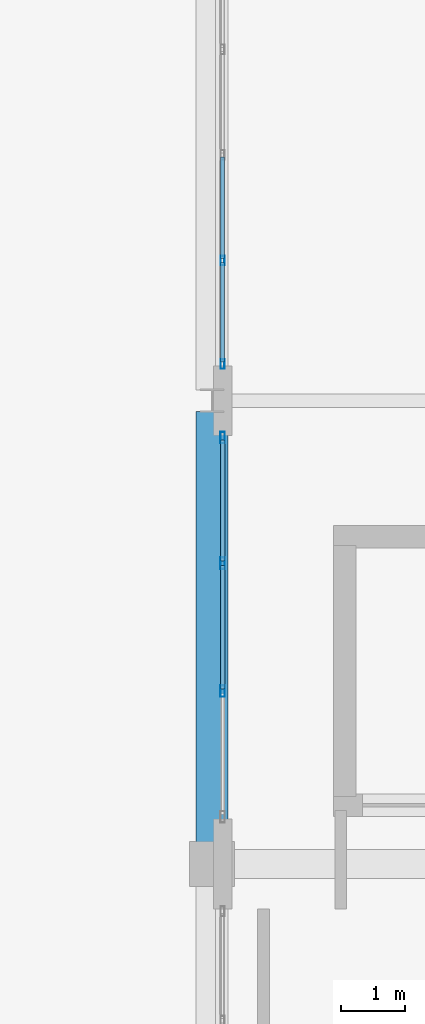
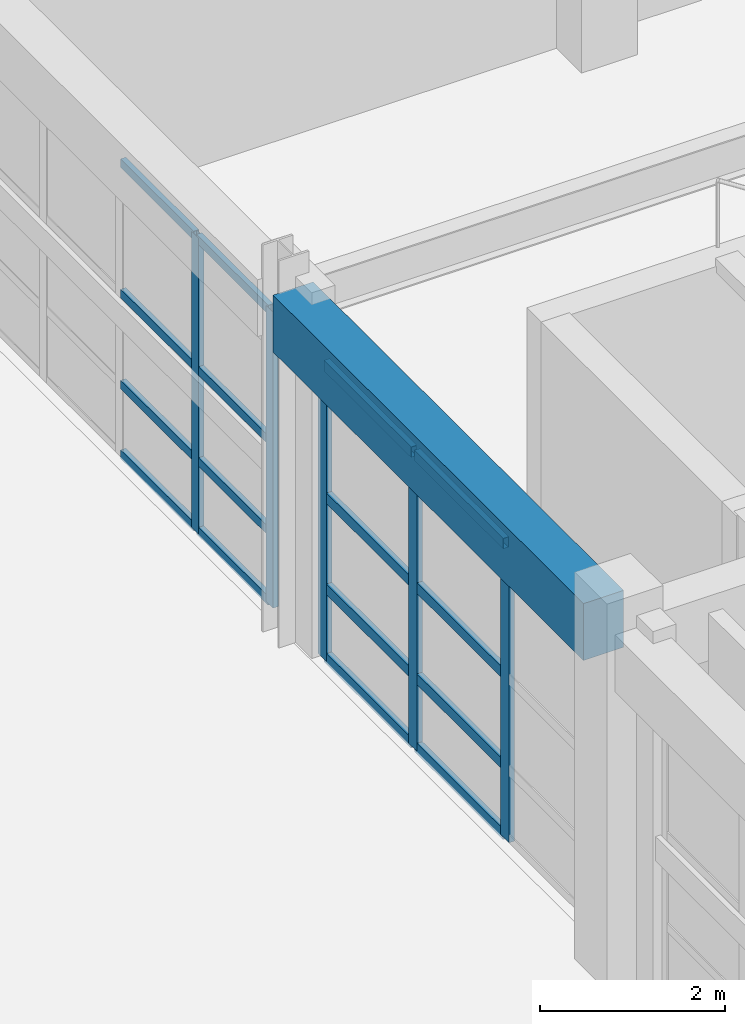
# One storey, part 46 of 78: 21 members, 1 beam, 2 elements without a shape of their own.
"""IFC4 building model written with IfcOpenShell, lengths in metres."""

from ifc_helpers import new_model, si_unit, direction, frame, origin, origin_2d, place, context, subcontext, project, spatial, rectangle, hollow_rectangle, extrude, material, layer, layer_set, material_profile, profile_set, type_object, element, aggregate, save


model = new_model("IFC4")

# Units and contexts
model_context = context("Model", 3, precision=1e-05, world=origin(), true_north=direction((0.0, 1.0)))
body_context = subcontext(model_context, "Body", "Model", "MODEL_VIEW")
ifc_project = project(units=[si_unit("LENGTHUNIT", "METRE"), si_unit("AREAUNIT", "SQUARE_METRE"), si_unit("VOLUMEUNIT", "CUBIC_METRE"), si_unit("PLANEANGLEUNIT", "RADIAN"), si_unit("MASSUNIT", "GRAM", prefix="KILO")], contexts=[model_context])

# Site, building, storey
site_placement = place(None, origin())
site = spatial("IfcSite", under=ifc_project, at=site_placement, CompositionType="ELEMENT")
building_placement = place(site_placement, origin())
building = spatial("IfcBuilding", under=site, at=building_placement, Name="Quendrovan Civic Courthouse", CompositionType="ELEMENT")
storey_placement = place(building_placement, frame((0.0, 0.0, 10.199951171875)))
storey = spatial("IfcBuildingStorey", under=building, at=storey_placement, Name="L03", CompositionType="ELEMENT", Elevation=10.199951171875)

# Beam
ifc_material_1 = material(Name="Concrete C40/50", Category="concrete")
ifc_material_profile_1 = material_profile(ifc_material_1, rectangle(XDim=0.5, YDim=0.75, at=origin_2d()), Name="RC-BM-500x750")
ifc_profile_set_1 = profile_set([ifc_material_profile_1], Name="Concrete C40/50")
beam_type = type_object("IfcBeamType", Name="BM-RC750", PredefinedType="SPANDREL", material=ifc_profile_set_1)
beam_placement = place(storey_placement, frame((109.199951171875, 95.1298828125, 4.28515625), z_axis=(0.0, 1.0, 0.0), x_axis=(-1.0, 0.0, 0.0)))
element("IfcBeam", 1, at=beam_placement, inside=storey, type_object=beam_type, Name="L03 Girder Y0862", PredefinedType="SPANDREL", context=body_context, shape_type="SweptSolid", body=[
    extrude(rectangle(XDim=0.5, YDim=0.75, at=origin_2d()), origin(), (0.0, 0.0, 1.0), 6.7041015625),
])

# Curtain wall, members
ifc_material_2 = material(Name="Bronze anodised aluminium and low-E glass", Category="aluminium")
ifc_layer_1 = layer(ifc_material_2, 0.179931640625, Name="Bronze anodised aluminium and low-E glass")
ifc_layer_set_1 = layer_set([ifc_layer_1], Name="Bronze anodised aluminium and low-E glass")
curtain_wall_type_1 = type_object("IfcCurtainWallType", Name="CW-U60x39", PredefinedType="USERDEFINED", material=ifc_layer_set_1)
curtain_wall_1_placement = place(storey_placement, origin())
curtain_wall_1 = element("IfcCurtainWall", 2, at=curtain_wall_1_placement, inside=storey, type_object=curtain_wall_type_1, Name="L03 Unitised Hurricane Curtain Wall CW-142", ObjectType="UNITISED CURTAIN WALL", PredefinedType="USERDEFINED")
ifc_material_3 = material(Name="Bronze anodised aluminium", Category="aluminium")
ifc_material_profile_2 = material_profile(ifc_material_3, hollow_rectangle(XDim=0.070068359375, YDim=0.179931640625, WallThickness=0.00390625, at=origin_2d()), Name="CW-MULL-70x180")
ifc_profile_set_2 = profile_set([ifc_material_profile_2], Name="Bronze anodised aluminium")
member_type_1 = type_object("IfcMemberType", Name="CW-MULL-A", PredefinedType="MULLION", material=ifc_profile_set_2)
member_1_placement = place(storey_placement, frame((109.364990234375, 97.487548828125, 0.0), z_axis=(0.0, 0.0, 1.0), x_axis=(-1.0, 0.0, 0.0)))
member_1 = element("IfcMember", 3, at=member_1_placement, type_object=member_type_1, Name="CW-142 mullion 2", PredefinedType="MULLION", context=body_context, shape_type="SweptSolid", body=[
    extrude(hollow_rectangle(XDim=0.070068359375, YDim=0.179931640625, WallThickness=0.00390625, at=origin_2d()), origin(), (0.0, 0.0, 1.0), 3.900146484375),
])
member_2_placement = place(storey_placement, frame((109.364990234375, 99.475341796875, 0.0), z_axis=(0.0, 0.0, 1.0), x_axis=(-1.0, 0.0, 0.0)))
member_2 = element("IfcMember", 4, at=member_2_placement, type_object=member_type_1, Name="CW-142 mullion 3", PredefinedType="MULLION", context=body_context, shape_type="SweptSolid", body=[
    extrude(hollow_rectangle(XDim=0.070068359375, YDim=0.179931640625, WallThickness=0.00390625, at=origin_2d()), origin(), (0.0, 0.0, 1.0), 3.900146484375),
])
member_3_placement = place(storey_placement, frame((109.364990234375, 101.427978515625, 0.0), z_axis=(0.0, 0.0, 1.0), x_axis=(-1.0, 0.0, 0.0)))
member_3 = element("IfcMember", 5, at=member_3_placement, type_object=member_type_1, Name="CW-142 mullion 4", PredefinedType="MULLION", context=body_context, shape_type="SweptSolid", body=[
    extrude(hollow_rectangle(XDim=0.070068359375, YDim=0.179931640625, WallThickness=0.00390625, at=origin_2d()), origin(), (0.0, 0.0, 1.0), 3.900146484375),
])

ifc_layer_2 = layer(ifc_material_2, 0.179931640625, Name="Bronze anodised aluminium and low-E glass")
ifc_layer_set_2 = layer_set([ifc_layer_2], Name="Bronze anodised aluminium and low-E glass")
curtain_wall_type_2 = type_object("IfcCurtainWallType", Name="CW-U66x39", PredefinedType="USERDEFINED", material=ifc_layer_set_2)
curtain_wall_2_placement = place(storey_placement, origin())
curtain_wall_2 = element("IfcCurtainWall", 6, at=curtain_wall_2_placement, inside=storey, type_object=curtain_wall_type_2, Name="L03 Unitised Hurricane Curtain Wall CW-143", ObjectType="UNITISED CURTAIN WALL", PredefinedType="USERDEFINED")
ifc_material_profile_3 = material_profile(ifc_material_3, hollow_rectangle(XDim=0.06494140625, YDim=0.14990234375, WallThickness=0.00390625, at=origin_2d()), Name="CW-MULL-65x150")
ifc_profile_set_3 = profile_set([ifc_material_profile_3], Name="Bronze anodised aluminium")
member_type_2 = type_object("IfcMemberType", Name="CW-MULL-B", PredefinedType="MULLION", material=ifc_profile_set_3)
member_4_placement = place(storey_placement, frame((109.364990234375, 102.569580078125, 0.0), z_axis=(0.0, 0.0, 1.0), x_axis=(-1.0, 0.0, 0.0)))
member_4 = element("IfcMember", 7, at=member_4_placement, type_object=member_type_2, Name="CW-143 mullion 1", PredefinedType="MULLION", context=body_context, shape_type="SweptSolid", body=[
    extrude(hollow_rectangle(XDim=0.06494140625, YDim=0.14990234375, WallThickness=0.00390625, at=origin_2d()), origin(), (0.0, 0.0, 1.0), 3.900146484375),
])
member_5_placement = place(storey_placement, frame((109.364990234375, 104.177734375, 0.0), z_axis=(0.0, 0.0, 1.0), x_axis=(-1.0, 0.0, 0.0)))
member_5 = element("IfcMember", 8, at=member_5_placement, type_object=member_type_2, Name="CW-143 mullion 2", PredefinedType="MULLION", context=body_context, shape_type="SweptSolid", body=[
    extrude(hollow_rectangle(XDim=0.06494140625, YDim=0.14990234375, WallThickness=0.00390625, at=origin_2d()), origin(), (0.0, 0.0, 1.0), 3.900146484375),
])

# Member
ifc_material_profile_4 = material_profile(ifc_material_3, hollow_rectangle(XDim=0.070068359375, YDim=0.139892578125, WallThickness=0.00390625, at=origin_2d()), Name="CW-TRAN-70x140")
ifc_profile_set_4 = profile_set([ifc_material_profile_4], Name="Bronze anodised aluminium")
member_type_3 = type_object("IfcMemberType", Name="CW-TRAN-A", PredefinedType="USERDEFINED", material=ifc_profile_set_4)
member_6_placement = place(storey_placement, frame((109.364990234375, 97.522705078125, 0.03515625), z_axis=(0.0, 1.0, 0.0), x_axis=(-1.0, 0.0, 0.0)))
member_6 = element("IfcMember", 9, at=member_6_placement, type_object=member_type_3, Name="CW-142 transom 2.1", ObjectType="TRANSOM", PredefinedType="USERDEFINED", context=body_context, shape_type="SweptSolid", body=[
    extrude(hollow_rectangle(XDim=0.070068359375, YDim=0.139892578125, WallThickness=0.00390625, at=origin_2d()), origin(), (0.0, 0.0, 1.0), 1.917724609375),
])

member_7_placement = place(storey_placement, frame((109.364990234375, 97.522705078125, 0.949951171875), z_axis=(0.0, 1.0, 0.0), x_axis=(-1.0, 0.0, 0.0)))
member_7 = element("IfcMember", 10, at=member_7_placement, type_object=member_type_3, Name="CW-142 transom 2.2", ObjectType="TRANSOM", PredefinedType="USERDEFINED", context=body_context, shape_type="SweptSolid", body=[
    extrude(hollow_rectangle(XDim=0.070068359375, YDim=0.139892578125, WallThickness=0.00390625, at=origin_2d()), origin(), (0.0, 0.0, 1.0), 1.917724609375),
])

member_8_placement = place(storey_placement, frame((109.364990234375, 97.522705078125, 2.150146484375), z_axis=(0.0, 1.0, 0.0), x_axis=(-1.0, 0.0, 0.0)))
member_8 = element("IfcMember", 11, at=member_8_placement, type_object=member_type_3, Name="CW-142 transom 2.3", ObjectType="TRANSOM", PredefinedType="USERDEFINED", context=body_context, shape_type="SweptSolid", body=[
    extrude(hollow_rectangle(XDim=0.070068359375, YDim=0.139892578125, WallThickness=0.00390625, at=origin_2d()), origin(), (0.0, 0.0, 1.0), 1.917724609375),
])

member_9_placement = place(storey_placement, frame((109.364990234375, 97.522705078125, 3.864990234375), z_axis=(0.0, 1.0, 0.0), x_axis=(-1.0, 0.0, 0.0)))
member_9 = element("IfcMember", 12, at=member_9_placement, type_object=member_type_3, Name="CW-142 transom 2.4", ObjectType="TRANSOM", PredefinedType="USERDEFINED", context=body_context, shape_type="SweptSolid", body=[
    extrude(hollow_rectangle(XDim=0.070068359375, YDim=0.139892578125, WallThickness=0.00390625, at=origin_2d()), origin(), (0.0, 0.0, 1.0), 1.917724609375),
])

member_10_placement = place(storey_placement, frame((109.364990234375, 99.51025390625, 0.03515625), z_axis=(0.0, 1.0, 0.0), x_axis=(-1.0, 0.0, 0.0)))
member_10 = element("IfcMember", 13, at=member_10_placement, type_object=member_type_3, Name="CW-142 transom 3.1", ObjectType="TRANSOM", PredefinedType="USERDEFINED", context=body_context, shape_type="SweptSolid", body=[
    extrude(hollow_rectangle(XDim=0.070068359375, YDim=0.139892578125, WallThickness=0.00390625, at=origin_2d()), origin(), (0.0, 0.0, 1.0), 1.8828125),
])

member_11_placement = place(storey_placement, frame((109.364990234375, 99.51025390625, 0.949951171875), z_axis=(0.0, 1.0, 0.0), x_axis=(-1.0, 0.0, 0.0)))
member_11 = element("IfcMember", 14, at=member_11_placement, type_object=member_type_3, Name="CW-142 transom 3.2", ObjectType="TRANSOM", PredefinedType="USERDEFINED", context=body_context, shape_type="SweptSolid", body=[
    extrude(hollow_rectangle(XDim=0.070068359375, YDim=0.139892578125, WallThickness=0.00390625, at=origin_2d()), origin(), (0.0, 0.0, 1.0), 1.8828125),
])

member_12_placement = place(storey_placement, frame((109.364990234375, 99.51025390625, 2.150146484375), z_axis=(0.0, 1.0, 0.0), x_axis=(-1.0, 0.0, 0.0)))
member_12 = element("IfcMember", 15, at=member_12_placement, type_object=member_type_3, Name="CW-142 transom 3.3", ObjectType="TRANSOM", PredefinedType="USERDEFINED", context=body_context, shape_type="SweptSolid", body=[
    extrude(hollow_rectangle(XDim=0.070068359375, YDim=0.139892578125, WallThickness=0.00390625, at=origin_2d()), origin(), (0.0, 0.0, 1.0), 1.8828125),
])

member_13_placement = place(storey_placement, frame((109.364990234375, 99.51025390625, 3.864990234375), z_axis=(0.0, 1.0, 0.0), x_axis=(-1.0, 0.0, 0.0)))
member_13 = element("IfcMember", 16, at=member_13_placement, type_object=member_type_3, Name="CW-142 transom 3.4", ObjectType="TRANSOM", PredefinedType="USERDEFINED", context=body_context, shape_type="SweptSolid", body=[
    extrude(hollow_rectangle(XDim=0.070068359375, YDim=0.139892578125, WallThickness=0.00390625, at=origin_2d()), origin(), (0.0, 0.0, 1.0), 1.8828125),
])

aggregate(curtain_wall_1, [member_1, member_2, member_3, member_6, member_7, member_8, member_9, member_10, member_11, member_12, member_13])

ifc_material_profile_5 = material_profile(ifc_material_3, hollow_rectangle(XDim=0.06494140625, YDim=0.114990234375, WallThickness=0.00390625, at=origin_2d()), Name="CW-TRAN-65x115")
ifc_profile_set_5 = profile_set([ifc_material_profile_5], Name="Bronze anodised aluminium")
member_type_4 = type_object("IfcMemberType", Name="CW-TRAN-B", PredefinedType="USERDEFINED", material=ifc_profile_set_5)
member_14_placement = place(storey_placement, frame((109.364990234375, 102.60205078125, 0.032470703125), z_axis=(0.0, 1.0, 0.0), x_axis=(-1.0, 0.0, 0.0)))
member_14 = element("IfcMember", 17, at=member_14_placement, type_object=member_type_4, Name="CW-143 transom 1.1", ObjectType="TRANSOM", PredefinedType="USERDEFINED", context=body_context, shape_type="SweptSolid", body=[
    extrude(hollow_rectangle(XDim=0.06494140625, YDim=0.114990234375, WallThickness=0.00390625, at=origin_2d()), origin(), (0.0, 0.0, 1.0), 1.543212890625),
])

member_15_placement = place(storey_placement, frame((109.364990234375, 102.60205078125, 0.949951171875), z_axis=(0.0, 1.0, 0.0), x_axis=(-1.0, 0.0, 0.0)))
member_15 = element("IfcMember", 18, at=member_15_placement, type_object=member_type_4, Name="CW-143 transom 1.2", ObjectType="TRANSOM", PredefinedType="USERDEFINED", context=body_context, shape_type="SweptSolid", body=[
    extrude(hollow_rectangle(XDim=0.06494140625, YDim=0.114990234375, WallThickness=0.00390625, at=origin_2d()), origin(), (0.0, 0.0, 1.0), 1.543212890625),
])

member_16_placement = place(storey_placement, frame((109.364990234375, 102.60205078125, 2.150146484375), z_axis=(0.0, 1.0, 0.0), x_axis=(-1.0, 0.0, 0.0)))
member_16 = element("IfcMember", 19, at=member_16_placement, type_object=member_type_4, Name="CW-143 transom 1.3", ObjectType="TRANSOM", PredefinedType="USERDEFINED", context=body_context, shape_type="SweptSolid", body=[
    extrude(hollow_rectangle(XDim=0.06494140625, YDim=0.114990234375, WallThickness=0.00390625, at=origin_2d()), origin(), (0.0, 0.0, 1.0), 1.543212890625),
])

member_17_placement = place(storey_placement, frame((109.364990234375, 102.60205078125, 3.867431640625), z_axis=(0.0, 1.0, 0.0), x_axis=(-1.0, 0.0, 0.0)))
member_17 = element("IfcMember", 20, at=member_17_placement, type_object=member_type_4, Name="CW-143 transom 1.4", ObjectType="TRANSOM", PredefinedType="USERDEFINED", context=body_context, shape_type="SweptSolid", body=[
    extrude(hollow_rectangle(XDim=0.06494140625, YDim=0.114990234375, WallThickness=0.00390625, at=origin_2d()), origin(), (0.0, 0.0, 1.0), 1.543212890625),
])

member_18_placement = place(storey_placement, frame((109.364990234375, 104.210205078125, 0.032470703125), z_axis=(0.0, 1.0, 0.0), x_axis=(-1.0, 0.0, 0.0)))
member_18 = element("IfcMember", 21, at=member_18_placement, type_object=member_type_4, Name="CW-143 transom 2.1", ObjectType="TRANSOM", PredefinedType="USERDEFINED", context=body_context, shape_type="SweptSolid", body=[
    extrude(hollow_rectangle(XDim=0.06494140625, YDim=0.114990234375, WallThickness=0.00390625, at=origin_2d()), origin(), (0.0, 0.0, 1.0), 1.57568359375),
])

member_19_placement = place(storey_placement, frame((109.364990234375, 104.210205078125, 0.949951171875), z_axis=(0.0, 1.0, 0.0), x_axis=(-1.0, 0.0, 0.0)))
member_19 = element("IfcMember", 22, at=member_19_placement, type_object=member_type_4, Name="CW-143 transom 2.2", ObjectType="TRANSOM", PredefinedType="USERDEFINED", context=body_context, shape_type="SweptSolid", body=[
    extrude(hollow_rectangle(XDim=0.06494140625, YDim=0.114990234375, WallThickness=0.00390625, at=origin_2d()), origin(), (0.0, 0.0, 1.0), 1.57568359375),
])

member_20_placement = place(storey_placement, frame((109.364990234375, 104.210205078125, 2.150146484375), z_axis=(0.0, 1.0, 0.0), x_axis=(-1.0, 0.0, 0.0)))
member_20 = element("IfcMember", 23, at=member_20_placement, type_object=member_type_4, Name="CW-143 transom 2.3", ObjectType="TRANSOM", PredefinedType="USERDEFINED", context=body_context, shape_type="SweptSolid", body=[
    extrude(hollow_rectangle(XDim=0.06494140625, YDim=0.114990234375, WallThickness=0.00390625, at=origin_2d()), origin(), (0.0, 0.0, 1.0), 1.57568359375),
])

member_21_placement = place(storey_placement, frame((109.364990234375, 104.210205078125, 3.867431640625), z_axis=(0.0, 1.0, 0.0), x_axis=(-1.0, 0.0, 0.0)))
member_21 = element("IfcMember", 24, at=member_21_placement, type_object=member_type_4, Name="CW-143 transom 2.4", ObjectType="TRANSOM", PredefinedType="USERDEFINED", context=body_context, shape_type="SweptSolid", body=[
    extrude(hollow_rectangle(XDim=0.06494140625, YDim=0.114990234375, WallThickness=0.00390625, at=origin_2d()), origin(), (0.0, 0.0, 1.0), 1.57568359375),
])

aggregate(curtain_wall_2, [member_4, member_5, member_14, member_15, member_16, member_17, member_18, member_19, member_20, member_21])

save(model, "model.ifc")
